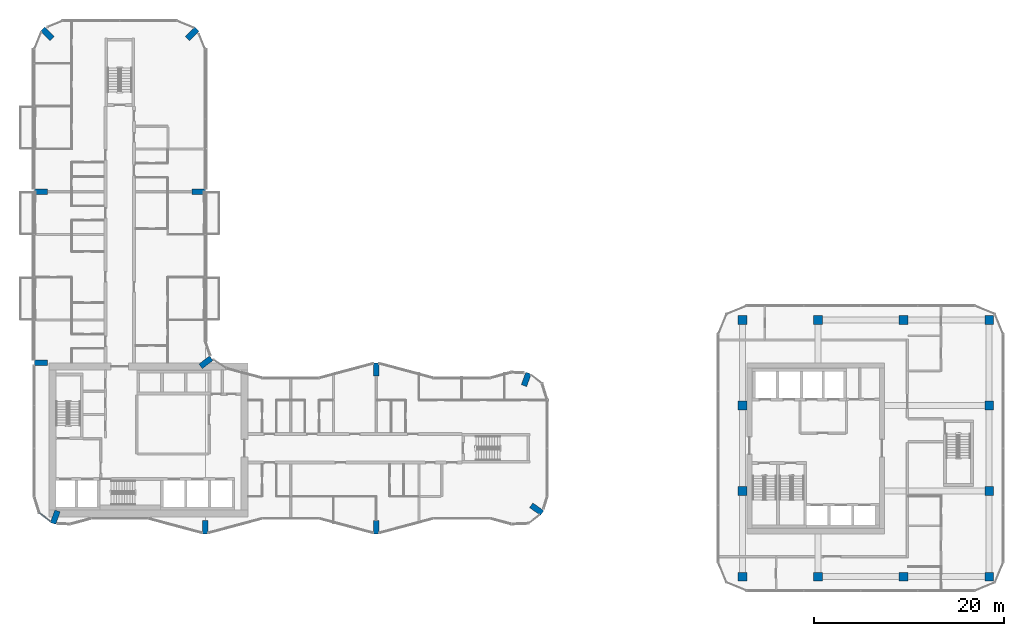
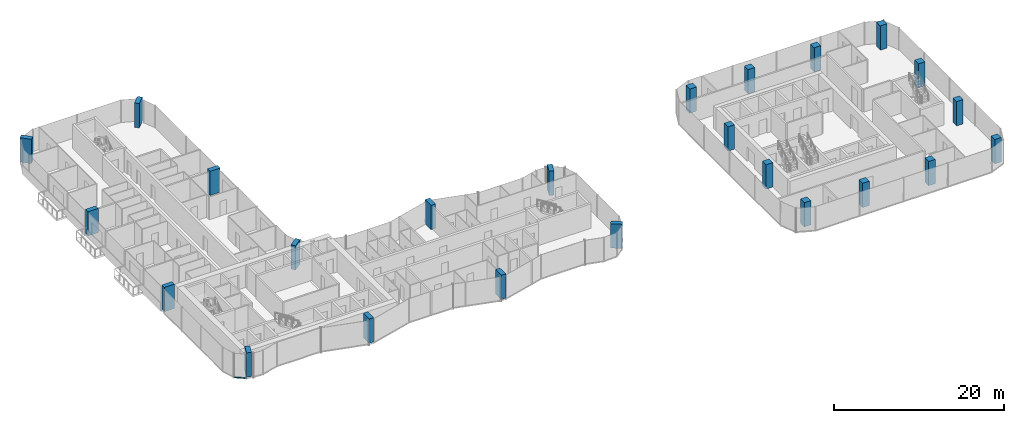
# One storey, part 1 of 23: 24 columns, 1 member, 1 element without a shape of its own.
"""IFC4 building model written with IfcOpenShell, lengths in metres."""

from ifc_helpers import new_model, si_unit, direction, frame, origin, origin_2d, place, context, subcontext, project, spatial, rectangle, extrude, material, layer, layer_set, material_profile, profile_set, type_object, element, aggregate, save


model = new_model("IFC4")

# Units and contexts
model_context = context("Model", 3, precision=1e-05, world=origin(), true_north=direction((0.0, 1.0)))
body_context = subcontext(model_context, "Body", "Model", "MODEL_VIEW")
ifc_project = project(units=[si_unit("LENGTHUNIT", "METRE"), si_unit("AREAUNIT", "SQUARE_METRE"), si_unit("VOLUMEUNIT", "CUBIC_METRE"), si_unit("PLANEANGLEUNIT", "RADIAN"), si_unit("MASSUNIT", "GRAM", prefix="KILO")], contexts=[model_context])

# Site, building, storey
site_placement = place(None, origin())
site = spatial("IfcSite", under=ifc_project, at=site_placement, CompositionType="ELEMENT")
building_placement = place(site_placement, origin())
building = spatial("IfcBuilding", under=site, at=building_placement, Name="Plateau Cross Towers", CompositionType="ELEMENT")
storey_placement = place(building_placement, frame((0.0, 0.0, 37.300048828125)))
storey = spatial("IfcBuildingStorey", under=building, at=storey_placement, Name="L08", CompositionType="ELEMENT", Elevation=37.300048828125)

# Columns
ifc_material_1 = material(Name="Concrete C60/75", Category="concrete")
ifc_material_profile_1 = material_profile(ifc_material_1, rectangle(XDim=0.60009765625, YDim=1.39990234375, at=origin_2d()), Name="RC 600x1400")
ifc_profile_set_1 = profile_set([ifc_material_profile_1], Name="Concrete C60/75")
column_type_1 = type_object("IfcColumnType", Name="Fin pier column RC 600x1400", PredefinedType="COLUMN", material=ifc_profile_set_1)
for number, where, z_axis, x_axis, name in (
    (1, (18.0, 0.699951171875, 0.0), (0.0, 0.0, 1.0), (1.0, 0.0, 0.0), "PR1 L08"),
    (2, (36.0, 0.699951171875, 0.0), (0.0, 0.0, 1.0), (1.0, 0.0, 0.0), "PR2 L08"),
    (3, (52.884033203125, 2.590087890625, 0.0), (0.0, 0.0, 1.0), (0.573542637991, 0.819175709117, 0.0), "PR3 L08"),
    (4, (51.786865234375, 16.251953125, 0.0), (0.0, 0.0, 1.0), (-0.939664280925, 0.342097996418, 0.0), "PR4 L08"),
    (5, (36.0, 17.300048828125, 0.0), (0.0, 0.0, 1.0), (1.0, 0.0, 0.0), "PR5 L08"),
    (6, (18.064697265625, 18.049560546875, 0.0), (0.0, 0.0, 1.0), (-0.608810846443, 0.793315418515, 0.0), "PR6 L08"),
    (7, (17.300048828125, 36.0, 0.0), (0.0, 0.0, 1.0), (0.0, 1.0, 0.0), "PR7 L08"),
    (8, (16.62646484375, 52.62646484375, 0.0), (0.0, 0.0, 1.0), (-0.707106781187, 0.707106781187, 0.0), "PR8 L08"),
    (9, (1.37353515625, 52.62646484375, 0.0), (0.0, 0.0, 1.0), (0.707106781187, 0.707106781187, 0.0), "PR9 L08"),
    (10, (0.699951171875, 36.0, 0.0), (0.0, 0.0, 1.0), (0.0, 1.0, 0.0), "PR10 L08"),
    (11, (0.699951171875, 18.0, 0.0), (0.0, 0.0, 1.0), (0.0, 1.0, 0.0), "PR11 L08"),
    (12, (2.213134765625, 1.748046875, 0.0), (0.0, 0.0, 1.0), (-0.939664280925, 0.342097996418, 0.0), "PR12 L08"),
):
    element("IfcColumn", number, at=place(storey_placement, frame(where, z_axis=z_axis, x_axis=x_axis)), inside=storey, type_object=column_type_1, Name=name, PredefinedType="COLUMN", context=body_context, shape_type="SweptSolid", body=[
        extrude(rectangle(XDim=0.60009765625, YDim=1.39990234375, at=origin_2d()), origin(), (0.0, 0.0, 1.0), 3.5),
    ])
ifc_material_profile_2 = material_profile(ifc_material_1, rectangle(XDim=0.89990234375, YDim=0.89990234375, at=origin_2d()), Name="RC 900x900")
ifc_profile_set_2 = profile_set([ifc_material_profile_2], Name="Concrete C60/75")
column_type_2 = type_object("IfcColumnType", Name="Office column RC 900x900", PredefinedType="COLUMN", material=ifc_profile_set_2)
for number, where, z_axis, x_axis, name in (
    (13, (74.550048828125, -4.5, 0.0), (0.0, 0.0, 1.0), (1.0, 0.0, 0.0), "B-C746_-45 L08"),
    (14, (82.5, -4.5, 0.0), (0.0, 0.0, 1.0), (1.0, 0.0, 0.0), "B-C825_-45 L08"),
    (15, (91.5, -4.5, 0.0), (0.0, 0.0, 1.0), (1.0, 0.0, 0.0), "B-C915_-45 L08"),
    (16, (100.5, -4.5, 0.0), (0.0, 0.0, 1.0), (1.0, 0.0, 0.0), "B-C1005_-45 L08"),
    (17, (100.5, 4.5, 0.0), (0.0, 0.0, 1.0), (1.0, 0.0, 0.0), "B-C1005_45 L08"),
    (18, (100.5, 13.5, 0.0), (0.0, 0.0, 1.0), (1.0, 0.0, 0.0), "B-C1005_135 L08"),
    (19, (100.5, 22.5, 0.0), (0.0, 0.0, 1.0), (1.0, 0.0, 0.0), "B-C1005_225 L08"),
    (20, (91.5, 22.5, 0.0), (0.0, 0.0, 1.0), (1.0, 0.0, 0.0), "B-C915_225 L08"),
    (21, (82.5, 22.5, 0.0), (0.0, 0.0, 1.0), (1.0, 0.0, 0.0), "B-C825_225 L08"),
    (22, (74.550048828125, 22.5, 0.0), (0.0, 0.0, 1.0), (1.0, 0.0, 0.0), "B-C746_225 L08"),
    (23, (74.550048828125, 13.5, 0.0), (0.0, 0.0, 1.0), (1.0, 0.0, 0.0), "B-C746_135 L08"),
    (24, (74.550048828125, 4.5, 0.0), (0.0, 0.0, 1.0), (1.0, 0.0, 0.0), "B-C746_45 L08"),
):
    element("IfcColumn", number, at=place(storey_placement, frame(where, z_axis=z_axis, x_axis=x_axis)), inside=storey, type_object=column_type_2, Name=name, PredefinedType="COLUMN", context=body_context, shape_type="SweptSolid", body=[
        extrude(rectangle(XDim=0.89990234375, YDim=0.89990234375, at=origin_2d()), origin(), (0.0, 0.0, 1.0), 3.5),
    ])

# Curtain wall, member
ifc_material_2 = material(Name="Dark low-iron glass", Category="glass")
ifc_layer = layer(ifc_material_2, 0.239990234375)
ifc_layer_set = layer_set([ifc_layer], Name="Dark low-iron glass")
curtain_wall_type = type_object("IfcCurtainWallType", Name="Curtain wall flush unitised CW-B", PredefinedType="NOTDEFINED", material=ifc_layer_set)
curtain_wall_placement = place(storey_placement, origin())
curtain_wall = element("IfcCurtainWall", 25, at=curtain_wall_placement, inside=storey, type_object=curtain_wall_type, Name="ENV/A/L08/A5_22", PredefinedType="NOTDEFINED")
ifc_material_3 = material(Name="Black anodised aluminium", Category="aluminium")
ifc_material_profile_3 = material_profile(ifc_material_3, rectangle(XDim=0.10009765625, YDim=0.1201171875, at=origin_2d()), Name="TRANSOM 100x120")
ifc_profile_set_3 = profile_set([ifc_material_profile_3], Name="Black anodised aluminium")
member_type = type_object("IfcMemberType", Name="Transom 100x120 flush unitised", PredefinedType="USERDEFINED", material=ifc_profile_set_3)
member_placement = place(storey_placement, frame((0.54248046875, 2.1884765625, -0.18994140625), z_axis=(0.793320508571, -0.608804213751, 0.0), x_axis=(0.608804213751, 0.793320508571, 0.0)))
member = element("IfcMember", 26, at=member_placement, type_object=member_type, Name="CW-B transom", ObjectType="TRANSOM", PredefinedType="USERDEFINED", context=body_context, shape_type="SweptSolid", body=[
    extrude(rectangle(XDim=0.10009765625, YDim=0.1201171875, at=origin_2d()), origin(), (0.0, 0.0, 1.0), 1.471435546875),
])
aggregate(curtain_wall, [member])

save(model, "model.ifc")
